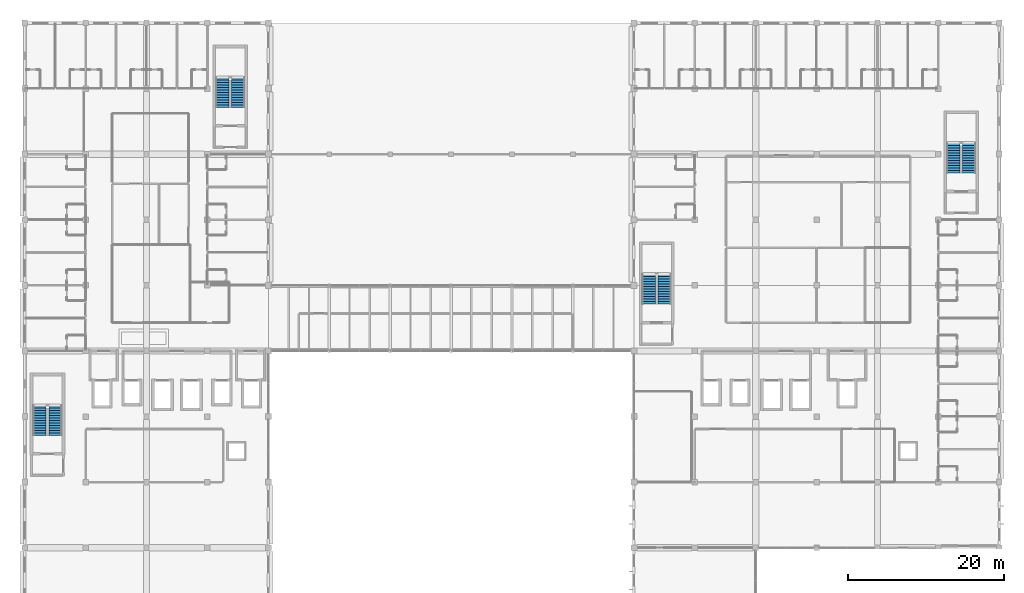
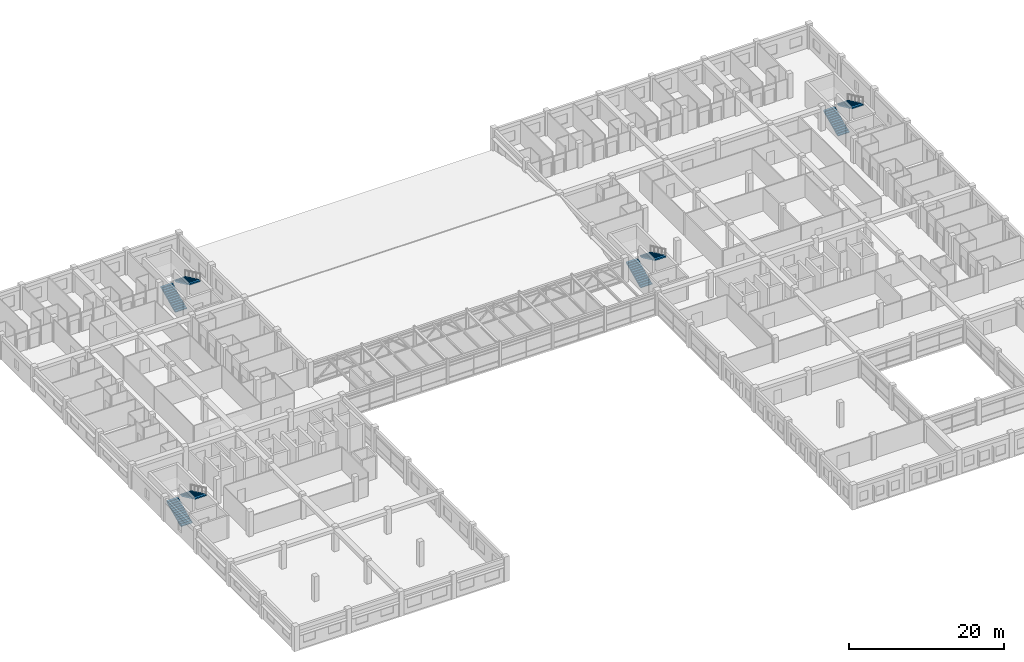
# One storey, part 64 of 72: 8 stair flights, 4 elements without a shape of their own.
"""IFC4 building model written with IfcOpenShell, lengths in metres."""

from ifc_helpers import new_model, si_unit, direction, frame, origin, place, context, subcontext, project, spatial, polyline, outline, extrude, material, type_object, element, aggregate, save


model = new_model("IFC4")

# Units and contexts
model_context = context("Model", 3, precision=1e-05, world=origin(), true_north=direction((0.0, 1.0)))
body_context = subcontext(model_context, "Body", "Model", "MODEL_VIEW")
ifc_project = project(units=[si_unit("LENGTHUNIT", "METRE"), si_unit("AREAUNIT", "SQUARE_METRE"), si_unit("VOLUMEUNIT", "CUBIC_METRE"), si_unit("PLANEANGLEUNIT", "RADIAN"), si_unit("MASSUNIT", "GRAM", prefix="KILO"), si_unit("THERMODYNAMICTEMPERATUREUNIT", "KELVIN"), si_unit("POWERUNIT", "WATT")], contexts=[model_context])

# Site, building, storey
site_placement = place(None, origin())
site = spatial("IfcSite", under=ifc_project, at=site_placement, CompositionType="ELEMENT")
building_placement = place(site_placement, origin())
building = spatial("IfcBuilding", under=site, at=building_placement, Name="Srebrne Nadtorze General Hospital", CompositionType="ELEMENT")
storey_placement = place(building_placement, frame((0.0, 0.0, 22.199951171875)))
storey = spatial("IfcBuildingStorey", under=building, at=storey_placement, Name="L05", CompositionType="ELEMENT", Elevation=22.199951171875)

# Stair, stair flights
ifc_material_1 = material(Name="Concrete C35/45", Category="concrete")
stair_type = type_object("IfcStairType", Name="Dog-leg escape stair 390", PredefinedType="HALF_TURN_STAIR", material=ifc_material_1)
stair_1_placement = place(storey_placement, origin())
stair_1 = element("IfcStair", 1, at=stair_1_placement, inside=storey, type_object=stair_type, Name="Escape stair ST-01-L05", PredefinedType="HALF_TURN_STAIR")
ifc_material_2 = material(Name="Concrete C35/45", Category="concrete")
stair_flight_type = type_object("IfcStairFlightType", Name="Reinforced concrete stair flight 13R", PredefinedType="STRAIGHT", material=ifc_material_2)
stair_flight_1_placement = place(storey_placement, frame((25.300048828125, 39.60009765625, 0.0), z_axis=(0.0, 0.0, 1.0), x_axis=(0.0, 1.0, 0.0)))
stair_flight_1 = element("IfcStairFlight", 2, at=stair_flight_1_placement, type_object=stair_flight_type, Name="ST-01 flight 1", NumberOfRisers=13, NumberOfTreads=12, PredefinedType="STRAIGHT", RiserHeight=0.15, TreadLength=0.32, context=body_context, shape_type="SweptSolid", body=[
    extrude(outline(polyline([(0.0, 0.0), (0.0, 0.14990234375), (0.320068359375, 0.14990234375), (0.320068359375, 0.300048828125), (0.639892578125, 0.300048828125), (0.639892578125, 0.449951171875), (0.9599609375, 0.449951171875), (0.9599609375, 0.60009765625), (1.280029296875, 0.60009765625), (1.280029296875, 0.75), (1.60009765625, 0.75), (1.60009765625, 0.89990234375), (1.919921875, 0.89990234375), (1.919921875, 1.050048828125), (2.239990234375, 1.050048828125), (2.239990234375, 1.199951171875), (2.56005859375, 1.199951171875), (2.56005859375, 1.35009765625), (2.8798828125, 1.35009765625), (2.8798828125, 1.5), (3.199951171875, 1.5), (3.199951171875, 1.64990234375), (3.52001953125, 1.64990234375), (3.52001953125, 1.800048828125), (3.840087890625, 1.800048828125), (3.840087890625, 1.949951171875), (3.840087890625, 1.601318359375), (0.423828125, 0.0), (0.0, 0.0)])), frame((0.0, 0.85009765625, 0.0), z_axis=(0.0, -1.0, 0.0), x_axis=(1.0, 0.0, 0.0)), (0.0, 0.0, 1.0), 1.699951171875),
])
stair_flight_2_placement = place(storey_placement, frame((27.35009765625, 43.43994140625, 1.949951171875), z_axis=(0.0, 0.0, 1.0), x_axis=(0.0, -1.0, 0.0)))
stair_flight_2 = element("IfcStairFlight", 3, at=stair_flight_2_placement, type_object=stair_flight_type, Name="ST-01 flight 2", NumberOfRisers=13, NumberOfTreads=12, PredefinedType="STRAIGHT", RiserHeight=0.15, TreadLength=0.32, context=body_context, shape_type="SweptSolid", body=[
    extrude(outline(polyline([(0.0, 0.0), (0.0, 0.14990234375), (0.320068359375, 0.14990234375), (0.320068359375, 0.300048828125), (0.639892578125, 0.300048828125), (0.639892578125, 0.449951171875), (0.9599609375, 0.449951171875), (0.9599609375, 0.60009765625), (1.280029296875, 0.60009765625), (1.280029296875, 0.75), (1.60009765625, 0.75), (1.60009765625, 0.89990234375), (1.919921875, 0.89990234375), (1.919921875, 1.050048828125), (2.239990234375, 1.050048828125), (2.239990234375, 1.199951171875), (2.56005859375, 1.199951171875), (2.56005859375, 1.35009765625), (2.8798828125, 1.35009765625), (2.8798828125, 1.5), (3.199951171875, 1.5), (3.199951171875, 1.64990234375), (3.52001953125, 1.64990234375), (3.52001953125, 1.800048828125), (3.840087890625, 1.800048828125), (3.840087890625, 1.949951171875), (3.840087890625, 1.601318359375), (0.423828125, 0.0), (0.0, 0.0)])), frame((0.0, 0.85009765625, 0.0), z_axis=(0.0, -1.0, 0.0), x_axis=(1.0, 0.0, 0.0)), (0.0, 0.0, 1.0), 1.699951171875),
])
aggregate(stair_1, [stair_flight_1, stair_flight_2])

stair_2_placement = place(storey_placement, origin())
stair_2 = element("IfcStair", 4, at=stair_2_placement, inside=storey, type_object=stair_type, Name="Escape stair ST-02-L05", PredefinedType="HALF_TURN_STAIR")
stair_flight_3_placement = place(storey_placement, frame((48.699951171875, 81.60009765625, 0.0), z_axis=(0.0, 0.0, 1.0), x_axis=(0.0, 1.0, 0.0)))
stair_flight_3 = element("IfcStairFlight", 5, at=stair_flight_3_placement, type_object=stair_flight_type, Name="ST-02 flight 1", NumberOfRisers=13, NumberOfTreads=12, PredefinedType="STRAIGHT", RiserHeight=0.15, TreadLength=0.32, context=body_context, shape_type="SweptSolid", body=[
    extrude(outline(polyline([(0.0, 0.0), (0.0, 0.14990234375), (0.320068359375, 0.14990234375), (0.320068359375, 0.300048828125), (0.639892578125, 0.300048828125), (0.639892578125, 0.449951171875), (0.9599609375, 0.449951171875), (0.9599609375, 0.60009765625), (1.280029296875, 0.60009765625), (1.280029296875, 0.75), (1.60009765625, 0.75), (1.60009765625, 0.89990234375), (1.919921875, 0.89990234375), (1.919921875, 1.050048828125), (2.239990234375, 1.050048828125), (2.239990234375, 1.199951171875), (2.56005859375, 1.199951171875), (2.56005859375, 1.35009765625), (2.8798828125, 1.35009765625), (2.8798828125, 1.5), (3.199951171875, 1.5), (3.199951171875, 1.64990234375), (3.52001953125, 1.64990234375), (3.52001953125, 1.800048828125), (3.840087890625, 1.800048828125), (3.840087890625, 1.949951171875), (3.840087890625, 1.601318359375), (0.423828125, 0.0), (0.0, 0.0)])), frame((0.0, 0.85009765625, 0.0), z_axis=(0.0, -1.0, 0.0), x_axis=(1.0, 0.0, 0.0)), (0.0, 0.0, 1.0), 1.699951171875),
])
stair_flight_4_placement = place(storey_placement, frame((50.75, 85.43994140625, 1.949951171875), z_axis=(0.0, 0.0, 1.0), x_axis=(0.0, -1.0, 0.0)))
stair_flight_4 = element("IfcStairFlight", 6, at=stair_flight_4_placement, type_object=stair_flight_type, Name="ST-02 flight 2", NumberOfRisers=13, NumberOfTreads=12, PredefinedType="STRAIGHT", RiserHeight=0.15, TreadLength=0.32, context=body_context, shape_type="SweptSolid", body=[
    extrude(outline(polyline([(0.0, 0.0), (0.0, 0.14990234375), (0.320068359375, 0.14990234375), (0.320068359375, 0.300048828125), (0.639892578125, 0.300048828125), (0.639892578125, 0.449951171875), (0.9599609375, 0.449951171875), (0.9599609375, 0.60009765625), (1.280029296875, 0.60009765625), (1.280029296875, 0.75), (1.60009765625, 0.75), (1.60009765625, 0.89990234375), (1.919921875, 0.89990234375), (1.919921875, 1.050048828125), (2.239990234375, 1.050048828125), (2.239990234375, 1.199951171875), (2.56005859375, 1.199951171875), (2.56005859375, 1.35009765625), (2.8798828125, 1.35009765625), (2.8798828125, 1.5), (3.199951171875, 1.5), (3.199951171875, 1.64990234375), (3.52001953125, 1.64990234375), (3.52001953125, 1.800048828125), (3.840087890625, 1.800048828125), (3.840087890625, 1.949951171875), (3.840087890625, 1.601318359375), (0.423828125, 0.0), (0.0, 0.0)])), frame((0.0, 0.85009765625, 0.0), z_axis=(0.0, -1.0, 0.0), x_axis=(1.0, 0.0, 0.0)), (0.0, 0.0, 1.0), 1.699951171875),
])
aggregate(stair_2, [stair_flight_3, stair_flight_4])

stair_3_placement = place(storey_placement, origin())
stair_3 = element("IfcStair", 7, at=stair_3_placement, inside=storey, type_object=stair_type, Name="Escape stair ST-03-L05", PredefinedType="HALF_TURN_STAIR")
stair_flight_5_placement = place(storey_placement, frame((103.300048828125, 56.39990234375, 0.0), z_axis=(0.0, 0.0, 1.0), x_axis=(0.0, 1.0, 0.0)))
stair_flight_5 = element("IfcStairFlight", 8, at=stair_flight_5_placement, type_object=stair_flight_type, Name="ST-03 flight 1", NumberOfRisers=13, NumberOfTreads=12, PredefinedType="STRAIGHT", RiserHeight=0.15, TreadLength=0.32, context=body_context, shape_type="SweptSolid", body=[
    extrude(outline(polyline([(0.0, 0.0), (0.0, 0.14990234375), (0.320068359375, 0.14990234375), (0.320068359375, 0.300048828125), (0.639892578125, 0.300048828125), (0.639892578125, 0.449951171875), (0.9599609375, 0.449951171875), (0.9599609375, 0.60009765625), (1.280029296875, 0.60009765625), (1.280029296875, 0.75), (1.60009765625, 0.75), (1.60009765625, 0.89990234375), (1.919921875, 0.89990234375), (1.919921875, 1.050048828125), (2.239990234375, 1.050048828125), (2.239990234375, 1.199951171875), (2.56005859375, 1.199951171875), (2.56005859375, 1.35009765625), (2.8798828125, 1.35009765625), (2.8798828125, 1.5), (3.199951171875, 1.5), (3.199951171875, 1.64990234375), (3.52001953125, 1.64990234375), (3.52001953125, 1.800048828125), (3.840087890625, 1.800048828125), (3.840087890625, 1.949951171875), (3.840087890625, 1.601318359375), (0.423828125, 0.0), (0.0, 0.0)])), frame((0.0, 0.85009765625, 0.0), z_axis=(0.0, -1.0, 0.0), x_axis=(1.0, 0.0, 0.0)), (0.0, 0.0, 1.0), 1.699951171875),
])
stair_flight_6_placement = place(storey_placement, frame((105.35009765625, 60.239990234375, 1.949951171875), z_axis=(0.0, 0.0, 1.0), x_axis=(0.0, -1.0, 0.0)))
stair_flight_6 = element("IfcStairFlight", 9, at=stair_flight_6_placement, type_object=stair_flight_type, Name="ST-03 flight 2", NumberOfRisers=13, NumberOfTreads=12, PredefinedType="STRAIGHT", RiserHeight=0.15, TreadLength=0.32, context=body_context, shape_type="SweptSolid", body=[
    extrude(outline(polyline([(0.0, 0.0), (0.0, 0.14990234375), (0.320068359375, 0.14990234375), (0.320068359375, 0.300048828125), (0.639892578125, 0.300048828125), (0.639892578125, 0.449951171875), (0.9599609375, 0.449951171875), (0.9599609375, 0.60009765625), (1.280029296875, 0.60009765625), (1.280029296875, 0.75), (1.60009765625, 0.75), (1.60009765625, 0.89990234375), (1.919921875, 0.89990234375), (1.919921875, 1.050048828125), (2.239990234375, 1.050048828125), (2.239990234375, 1.199951171875), (2.56005859375, 1.199951171875), (2.56005859375, 1.35009765625), (2.8798828125, 1.35009765625), (2.8798828125, 1.5), (3.199951171875, 1.5), (3.199951171875, 1.64990234375), (3.52001953125, 1.64990234375), (3.52001953125, 1.800048828125), (3.840087890625, 1.800048828125), (3.840087890625, 1.949951171875), (3.840087890625, 1.601318359375), (0.423828125, 0.0), (0.0, 0.0)])), frame((0.0, 0.85009765625, 0.0), z_axis=(0.0, -1.0, 0.0), x_axis=(1.0, 0.0, 0.0)), (0.0, 0.0, 1.0), 1.699951171875),
])
aggregate(stair_3, [stair_flight_5, stair_flight_6])

stair_4_placement = place(storey_placement, origin())
stair_4 = element("IfcStair", 10, at=stair_4_placement, inside=storey, type_object=stair_type, Name="Escape stair ST-04-L05", PredefinedType="HALF_TURN_STAIR")
stair_flight_7_placement = place(storey_placement, frame((142.300048828125, 73.199951171875, 0.0), z_axis=(0.0, 0.0, 1.0), x_axis=(0.0, 1.0, 0.0)))
stair_flight_7 = element("IfcStairFlight", 11, at=stair_flight_7_placement, type_object=stair_flight_type, Name="ST-04 flight 1", NumberOfRisers=13, NumberOfTreads=12, PredefinedType="STRAIGHT", RiserHeight=0.15, TreadLength=0.32, context=body_context, shape_type="SweptSolid", body=[
    extrude(outline(polyline([(0.0, 0.0), (0.0, 0.14990234375), (0.320068359375, 0.14990234375), (0.320068359375, 0.300048828125), (0.639892578125, 0.300048828125), (0.639892578125, 0.449951171875), (0.9599609375, 0.449951171875), (0.9599609375, 0.60009765625), (1.280029296875, 0.60009765625), (1.280029296875, 0.75), (1.60009765625, 0.75), (1.60009765625, 0.89990234375), (1.919921875, 0.89990234375), (1.919921875, 1.050048828125), (2.239990234375, 1.050048828125), (2.239990234375, 1.199951171875), (2.56005859375, 1.199951171875), (2.56005859375, 1.35009765625), (2.8798828125, 1.35009765625), (2.8798828125, 1.5), (3.199951171875, 1.5), (3.199951171875, 1.64990234375), (3.52001953125, 1.64990234375), (3.52001953125, 1.800048828125), (3.840087890625, 1.800048828125), (3.840087890625, 1.949951171875), (3.840087890625, 1.601318359375), (0.423828125, 0.0), (0.0, 0.0)])), frame((0.0, 0.85009765625, 0.0), z_axis=(0.0, -1.0, 0.0), x_axis=(1.0, 0.0, 0.0)), (0.0, 0.0, 1.0), 1.699951171875),
])
stair_flight_8_placement = place(storey_placement, frame((144.35009765625, 77.0400390625, 1.949951171875), z_axis=(0.0, 0.0, 1.0), x_axis=(0.0, -1.0, 0.0)))
stair_flight_8 = element("IfcStairFlight", 12, at=stair_flight_8_placement, type_object=stair_flight_type, Name="ST-04 flight 2", NumberOfRisers=13, NumberOfTreads=12, PredefinedType="STRAIGHT", RiserHeight=0.15, TreadLength=0.32, context=body_context, shape_type="SweptSolid", body=[
    extrude(outline(polyline([(0.0, 0.0), (0.0, 0.14990234375), (0.320068359375, 0.14990234375), (0.320068359375, 0.300048828125), (0.639892578125, 0.300048828125), (0.639892578125, 0.449951171875), (0.9599609375, 0.449951171875), (0.9599609375, 0.60009765625), (1.280029296875, 0.60009765625), (1.280029296875, 0.75), (1.60009765625, 0.75), (1.60009765625, 0.89990234375), (1.919921875, 0.89990234375), (1.919921875, 1.050048828125), (2.239990234375, 1.050048828125), (2.239990234375, 1.199951171875), (2.56005859375, 1.199951171875), (2.56005859375, 1.35009765625), (2.8798828125, 1.35009765625), (2.8798828125, 1.5), (3.199951171875, 1.5), (3.199951171875, 1.64990234375), (3.52001953125, 1.64990234375), (3.52001953125, 1.800048828125), (3.840087890625, 1.800048828125), (3.840087890625, 1.949951171875), (3.840087890625, 1.601318359375), (0.423828125, 0.0), (0.0, 0.0)])), frame((0.0, 0.85009765625, 0.0), z_axis=(0.0, -1.0, 0.0), x_axis=(1.0, 0.0, 0.0)), (0.0, 0.0, 1.0), 1.699951171875),
])
aggregate(stair_4, [stair_flight_7, stair_flight_8])

save(model, "model.ifc")
